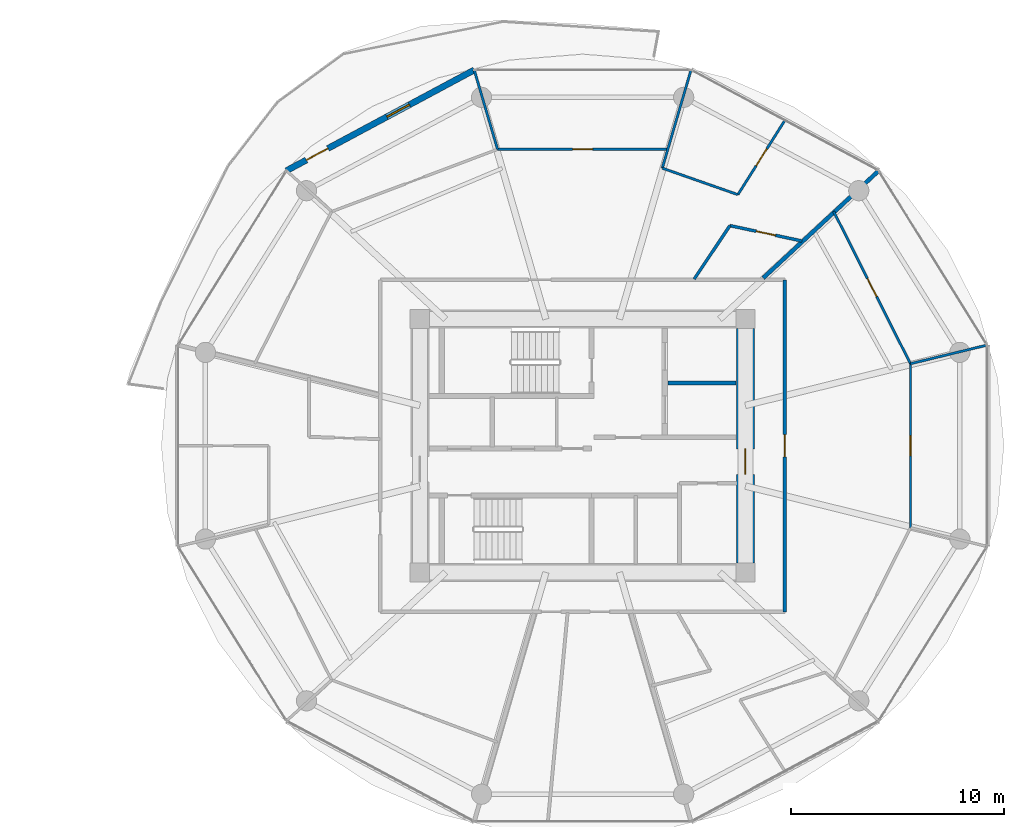
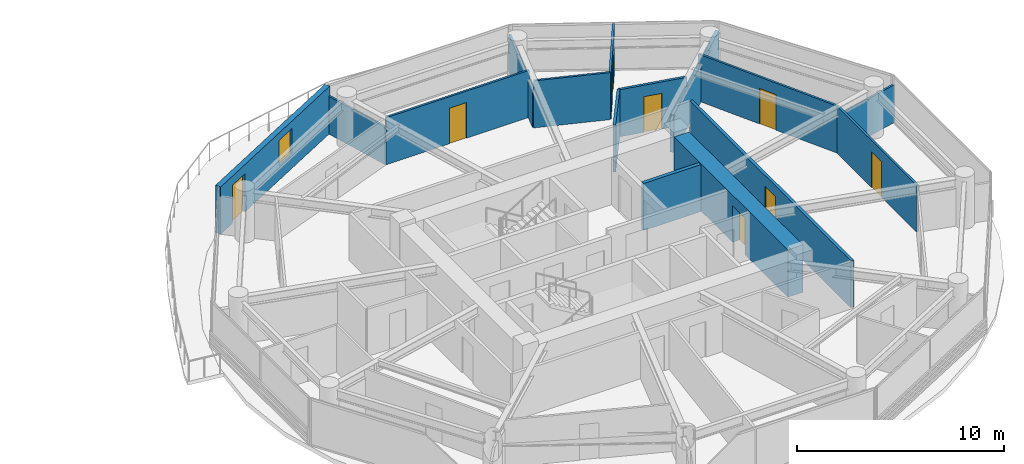
# One storey, part 20 of 26: 15 walls, 8 doors, 1 window, 9 openings.
"""IFC4 building model written with IfcOpenShell, lengths in metres."""

from ifc_helpers import new_model, si_unit, direction, frame, frame_2d, origin, place, context, subcontext, project, spatial, rectangle, extrude, source, transform, mapped, material, layer, layer_set, type_object, type_shapes, element, fill, save


model = new_model("IFC4")

# Units and contexts
model_context = context("Model", 3, precision=1e-05, world=origin(), true_north=direction((0.0, 1.0)))
body_context = subcontext(model_context, "Body", "Model", "MODEL_VIEW")
ifc_project = project(units=[si_unit("LENGTHUNIT", "METRE"), si_unit("AREAUNIT", "SQUARE_METRE"), si_unit("VOLUMEUNIT", "CUBIC_METRE"), si_unit("PLANEANGLEUNIT", "RADIAN"), si_unit("MASSUNIT", "GRAM", prefix="KILO")], contexts=[model_context])

# Site, building, storey
site_placement = place(None, origin())
site = spatial("IfcSite", under=ifc_project, at=site_placement, CompositionType="ELEMENT")
building_placement = place(site_placement, origin())
building = spatial("IfcBuilding", under=site, at=building_placement, Name="Norrkilde Senior Care Towers", CompositionType="ELEMENT")
storey_placement = place(building_placement, frame((0.0, 0.0, 64.300048828125)))
storey = spatial("IfcBuildingStorey", under=building, at=storey_placement, Name="L19", CompositionType="ELEMENT", Elevation=64.300048828125)

# Wall, opening, door
ifc_material_1 = material(Name="Concrete C60/75", Category="concrete")
ifc_layer_1 = layer(ifc_material_1, 0.85009765625)
ifc_layer_set_1 = layer_set([ifc_layer_1], Name="Concrete C60/75")
wall_type_1 = type_object("IfcWallType", Name="Core Shear Wall Z1 850", PredefinedType="SHEAR", material=ifc_layer_set_1)
shared_shape_1 = source(origin(), body_context, "Body", "SweptSolid", [
    extrude(rectangle(XDim=11.0, YDim=0.85009765625, at=frame_2d((5.5, 0.0))), origin(), (0.0, 0.0, 1.0), 2.7900390625),
])
type_shapes(wall_type_1, [shared_shape_1])
wall_1_placement = place(storey_placement, frame((35.64990234375, 5.5, 0.0), z_axis=(0.0, 0.0, 1.0), x_axis=(0.0, -1.0, 0.0)))
wall_1 = element("IfcWall", 1, at=wall_1_placement, inside=storey, type_object=wall_type_1, Name="L19 Core E East Shear Wall", PredefinedType="SHEAR", context=body_context, shape_type="MappedRepresentation", body=[
    mapped(shared_shape_1, transform((0.0, 0.0, 0.0), x_axis=(1.0, 0.0, 0.0), y_axis=(0.0, 1.0, 0.0), z_axis=(0.0, 0.0, 1.0), scale=1.0)),
])
opening_1_placement = place(wall_1_placement, frame((5.64990234375, 0.0, 0.0)))
opening_1 = element("IfcOpeningElement", 2, at=opening_1_placement, cuts=wall_1, Name="Opening D-04", PredefinedType="OPENING", context=body_context, shape_type="SweptSolid", body=[
    extrude(rectangle(XDim=1.199951171875, YDim=2.14990234375, at=frame_2d((0.60009765625, 1.074951171875))), frame((0.0, 0.43505859375, 0.0), z_axis=(0.0, -1.0, 0.0), x_axis=(1.0, 0.0, 0.0)), (0.0, 0.0, 1.0), 0.8701171875),
])
ifc_material_2 = material(Name="Galvanised Painted Steel", Category="steel")
door_type_1 = type_object("IfcDoorType", Name="Firefighting Lobby Fire Door 1200x2150", OperationType="NOTDEFINED", PredefinedType="DOOR", material=ifc_material_2)
shared_shape_2 = source(origin(), body_context, "Body", "SweptSolid", [
    extrude(rectangle(XDim=1.199951171875, YDim=2.14990234375, at=frame_2d((0.60009765625, 1.074951171875))), frame((0.0, 0.02490234375, 0.0), z_axis=(0.0, -1.0, 0.0), x_axis=(1.0, 0.0, 0.0)), (0.0, 0.0, 1.0), 0.050048828125),
])
type_shapes(door_type_1, [shared_shape_2])
door_1_placement = place(opening_1_placement, frame((1.199951171875, 0.0, 0.0), z_axis=(0.0, 0.0, 1.0), x_axis=(-1.0, 0.0, 0.0)))
door_1 = element("IfcDoor", 3, at=door_1_placement, inside=storey, type_object=door_type_1, Name="L19 Core E East Portal Door", OperationType="SINGLE_SWING_RIGHT", OverallHeight=2.14990234375, OverallWidth=1.199951171875, PredefinedType="DOOR", context=body_context, shape_type="MappedRepresentation", body=[
    mapped(shared_shape_2, transform((0.0, 0.0, 0.0), x_axis=(1.0, 0.0, 0.0), y_axis=(0.0, 1.0, 0.0), z_axis=(0.0, 0.0, 1.0), scale=1.0)),
])
fill(opening_1, door_1)

# Wall, openings, door, window
ifc_material_3 = material(Name="Precast concrete C45/55", Category="concrete")
ifc_layer_2 = layer(ifc_material_3, 0.2900390625)
ifc_layer_set_2 = layer_set([ifc_layer_2], Name="Precast concrete C45/55")
wall_type_2 = type_object("IfcWallType", Name="Winter Garden Facade Wall 290", PredefinedType="SOLIDWALL", material=ifc_layer_set_2)
shared_shape_3 = source(origin(), body_context, "Body", "SweptSolid", [
    extrude(rectangle(XDim=10.0107421875, YDim=0.2900390625, at=frame_2d((5.00537109375, 0.0))), origin(), (0.0, 0.0, 1.0), 2.7900390625),
])
type_shapes(wall_type_2, [shared_shape_3])
wall_2_placement = place(storey_placement, frame((14.084228515625, 12.926025390625, 0.0), z_axis=(0.0, 0.0, 1.0), x_axis=(0.881272505317, 0.472608475773, 0.0)))
wall_2 = element("IfcWall", 4, at=wall_2_placement, inside=storey, type_object=wall_type_2, Name="L19 Drum E Balcony Access Wall 03", PredefinedType="SOLIDWALL", context=body_context, shape_type="MappedRepresentation", body=[
    mapped(shared_shape_3, transform((0.0, 0.0, 0.0), x_axis=(1.0, 0.0, 0.0), y_axis=(0.0, 1.0, 0.0), z_axis=(0.0, 0.0, 1.0), scale=1.0)),
])
opening_2_placement = place(wall_2_placement, frame((1.06005859375, 0.0, 0.0)))
opening_2 = element("IfcOpeningElement", 5, at=opening_2_placement, cuts=wall_2, Name="Opening D-09", PredefinedType="OPENING", context=body_context, shape_type="SweptSolid", body=[
    extrude(rectangle(XDim=1.14990234375, YDim=2.25, at=frame_2d((0.574951171875, 1.125))), frame((0.0, 0.155029296875, 0.0), z_axis=(0.0, -1.0, 0.0), x_axis=(1.0, 0.0, 0.0)), (0.0, 0.0, 1.0), 0.31005859375),
])
opening_3_placement = place(wall_2_placement, frame((5.35546875, 0.0, 0.85009765625)))
opening_3 = element("IfcOpeningElement", 6, at=opening_3_placement, cuts=wall_2, Name="Opening WN-07", PredefinedType="OPENING", context=body_context, shape_type="SweptSolid", body=[
    extrude(rectangle(XDim=1.199951171875, YDim=1.5, at=frame_2d((0.60009765625, 0.75))), frame((0.0, 0.155029296875, 0.0), z_axis=(0.0, -1.0, 0.0), x_axis=(1.0, 0.0, 0.0)), (0.0, 0.0, 1.0), 0.31005859375),
])
ifc_material_4 = material(Name="Anodised Aluminium", Category="aluminium")
door_type_2 = type_object("IfcDoorType", Name="Terrace and Balcony Glazed Door 1150x2250", OperationType="NOTDEFINED", PredefinedType="DOOR", material=ifc_material_4)
shared_shape_4 = source(origin(), body_context, "Body", "SweptSolid", [
    extrude(rectangle(XDim=1.14990234375, YDim=2.25, at=frame_2d((0.574951171875, 1.125))), frame((0.0, 0.02490234375, 0.0), z_axis=(0.0, -1.0, 0.0), x_axis=(1.0, 0.0, 0.0)), (0.0, 0.0, 1.0), 0.050048828125),
])
type_shapes(door_type_2, [shared_shape_4])
door_2_placement = place(opening_2_placement, origin())
door_2 = element("IfcDoor", 7, at=door_2_placement, inside=storey, type_object=door_type_2, Name="L19 Drum E Outdoor Terrace Door 03", OperationType="SINGLE_SWING_RIGHT", OverallHeight=2.25, OverallWidth=1.14990234375, PredefinedType="DOOR", context=body_context, shape_type="MappedRepresentation", body=[
    mapped(shared_shape_4, transform((0.0, 0.0, 0.0), x_axis=(1.0, 0.0, 0.0), y_axis=(0.0, 1.0, 0.0), z_axis=(0.0, 0.0, 1.0), scale=1.0)),
])
fill(opening_2, door_2)
ifc_material_5 = material(Name="Triple Low-E Insulated Glazing", Category="glass")
window_type = type_object("IfcWindowType", Name="Stairwell Smoke Vent Window 1200x1500", PartitioningType="SINGLE_PANEL", PredefinedType="WINDOW", material=ifc_material_5)
shared_shape_5 = source(origin(), body_context, "Body", "SweptSolid", [
    extrude(rectangle(XDim=1.199951171875, YDim=1.5, at=frame_2d((0.60009765625, 0.75))), frame((0.0, 0.030029296875, 0.0), z_axis=(0.0, -1.0, 0.0), x_axis=(1.0, 0.0, 0.0)), (0.0, 0.0, 1.0), 0.06005859375),
])
type_shapes(window_type, [shared_shape_5])
window_placement = place(opening_3_placement, origin())
window = element("IfcWindow", 8, at=window_placement, inside=storey, type_object=window_type, Name="L19 Drum E Winter Garden Window 03", OverallHeight=1.5, OverallWidth=1.199951171875, PartitioningType="SINGLE_PANEL", PredefinedType="WINDOW", context=body_context, shape_type="MappedRepresentation", body=[
    mapped(shared_shape_5, transform((0.0, 0.0, 0.0), x_axis=(1.0, 0.0, 0.0), y_axis=(0.0, 1.0, 0.0), z_axis=(0.0, 0.0, 1.0), scale=1.0)),
])
fill(opening_3, window)

# Wall
ifc_material_6 = material(Name="Concrete C45/55", Category="concrete")
ifc_layer_3 = layer(ifc_material_6, 0.199951171875)
ifc_layer_set_3 = layer_set([ifc_layer_3], Name="Concrete C45/55")
wall_type_3 = type_object("IfcWallType", Name="Shaft Division and Plant Partition 200", PredefinedType="PARTITIONING", material=ifc_layer_set_3)
shared_shape_6 = source(origin(), body_context, "Body", "SweptSolid", [
    extrude(rectangle(XDim=3.199951171875, YDim=0.199951171875, at=frame_2d((1.60009765625, 0.0))), origin(), (0.0, 0.0, 1.0), 2.77490234375),
])
type_shapes(wall_type_3, [shared_shape_6])
wall_3_placement = place(storey_placement, frame((32.0, 2.949951171875, 0.0), z_axis=(0.0, 0.0, 1.0), x_axis=(1.0, 0.0, 0.0)))
element("IfcWall", 9, at=wall_3_placement, inside=storey, type_object=wall_type_3, Name="WL-INT-L19-E-FFLDIV", PredefinedType="PARTITIONING", context=body_context, shape_type="MappedRepresentation", body=[
    mapped(shared_shape_6, transform((0.0, 0.0, 0.0), x_axis=(1.0, 0.0, 0.0), y_axis=(0.0, 1.0, 0.0), z_axis=(0.0, 0.0, 1.0), scale=1.0)),
])

# Wall, opening, door
ifc_material_7 = material(Name="Gypsum Acoustic Board")
ifc_layer_4 = layer(ifc_material_7, 0.1650390625)
ifc_layer_set_4 = layer_set([ifc_layer_4], Name="Gypsum Acoustic Board")
wall_type_4 = type_object("IfcWallType", Name="Corridor Rated Partition 165", PredefinedType="PARTITIONING", material=ifc_layer_set_4)
shared_shape_7 = source(origin(), body_context, "Body", "SweptSolid", [
    extrude(rectangle(XDim=15.60009765625, YDim=0.1650390625, at=frame_2d((7.800048828125, 0.0))), origin(), (0.0, 0.0, 1.0), 2.77490234375),
])
type_shapes(wall_type_4, [shared_shape_7])
wall_4_placement = place(storey_placement, frame((37.5, 7.800048828125, 0.0), z_axis=(0.0, 0.0, 1.0), x_axis=(0.0, -1.0, 0.0)))
wall_4 = element("IfcWall", 10, at=wall_4_placement, inside=storey, type_object=wall_type_4, Name="WL-INT-L19-E-CRW-E-0", PredefinedType="PARTITIONING", context=body_context, shape_type="MappedRepresentation", body=[
    mapped(shared_shape_7, transform((0.0, 0.0, 0.0), x_axis=(1.0, 0.0, 0.0), y_axis=(0.0, 1.0, 0.0), z_axis=(0.0, 0.0, 1.0), scale=1.0)),
])
opening_4_placement = place(wall_4_placement, frame((7.27490234375, 0.0, 0.0)))
opening_4 = element("IfcOpeningElement", 11, at=opening_4_placement, cuts=wall_4, Name="Opening D-06", PredefinedType="OPENING", context=body_context, shape_type="SweptSolid", body=[
    extrude(rectangle(XDim=1.050048828125, YDim=2.14990234375, at=frame_2d((0.52490234375, 1.074951171875))), frame((0.0, 0.092529296875, 0.0), z_axis=(0.0, -1.0, 0.0), x_axis=(1.0, 0.0, 0.0)), (0.0, 0.0, 1.0), 0.18505859375),
])
ifc_material_8 = material(Name="Nordic Ash Timber", Category="wood")
door_type_3 = type_object("IfcDoorType", Name="Apartment Entrance Fire Door 1050x2150", OperationType="NOTDEFINED", PredefinedType="DOOR", material=ifc_material_8)
shared_shape_8 = source(origin(), body_context, "Body", "SweptSolid", [
    extrude(rectangle(XDim=1.050048828125, YDim=2.14990234375, at=frame_2d((0.52490234375, 1.074951171875))), frame((0.0, 0.02490234375, 0.0), z_axis=(0.0, -1.0, 0.0), x_axis=(1.0, 0.0, 0.0)), (0.0, 0.0, 1.0), 0.050048828125),
])
type_shapes(door_type_3, [shared_shape_8])
door_3_placement = place(opening_4_placement, frame((1.050048828125, 0.0, 0.0), z_axis=(0.0, 0.0, 1.0), x_axis=(-1.0, 0.0, 0.0)))
door_3 = element("IfcDoor", 12, at=door_3_placement, inside=storey, type_object=door_type_3, Name="Apartment 19C Entrance Door", OperationType="SINGLE_SWING_RIGHT", OverallHeight=2.14990234375, OverallWidth=1.050048828125, PredefinedType="DOOR", context=body_context, shape_type="MappedRepresentation", body=[
    mapped(shared_shape_8, transform((0.0, 0.0, 0.0), x_axis=(1.0, 0.0, 0.0), y_axis=(0.0, 1.0, 0.0), z_axis=(0.0, 0.0, 1.0), scale=1.0)),
])
fill(opening_4, door_3)

# Wall
ifc_layer_5 = layer(ifc_material_7, 0.18994140625)
ifc_layer_set_5 = layer_set([ifc_layer_5], Name="Gypsum Acoustic Board")
wall_type_5 = type_object("IfcWallType", Name="Unit Demising Acoustic Wall 190", PredefinedType="PARTITIONING", material=ifc_layer_set_5)
shared_shape_9 = source(origin(), body_context, "Body", "SweptSolid", [
    extrude(rectangle(XDim=7.4345703125, YDim=0.18994140625, at=frame_2d((3.71728515625, 0.0))), origin(), (0.0, 0.0, 1.0), 2.224853515625),
])
type_shapes(wall_type_5, [shared_shape_9])
wall_5_placement = place(storey_placement, frame((36.48291015625, 7.8798828125, 0.0), z_axis=(0.0, 0.0, 1.0), x_axis=(0.732651956848, 0.680603489652, 0.0)))
element("IfcWall", 13, at=wall_5_placement, inside=storey, type_object=wall_type_5, Name="WL-INT-L19-E-DEM-01-0", PredefinedType="PARTITIONING", context=body_context, shape_type="MappedRepresentation", body=[
    mapped(shared_shape_9, transform((0.0, 0.0, 0.0), x_axis=(1.0, 0.0, 0.0), y_axis=(0.0, 1.0, 0.0), z_axis=(0.0, 0.0, 1.0), scale=1.0)),
])

# Wall, opening, door
ifc_layer_6 = layer(ifc_material_7, 0.114990234375)
ifc_layer_set_6 = layer_set([ifc_layer_6], Name="Gypsum Acoustic Board")
wall_type_6 = type_object("IfcWallType", Name="Internal Room Partition 115", PredefinedType="PARTITIONING", material=ifc_layer_set_6)
shared_shape_10 = source(origin(), body_context, "Body", "SweptSolid", [
    extrude(rectangle(XDim=7.99267578125, YDim=0.114990234375, at=frame_2d((3.996337890625, 0.0))), origin(), (0.0, 0.0, 1.0), 2.77490234375),
])
wall_6_placement = place(storey_placement, frame((31.996337890625, 13.927001953125, 0.0), z_axis=(0.0, 0.0, 1.0), x_axis=(-1.0, 0.0, 0.0)))
wall_6 = element("IfcWall", 14, at=wall_6_placement, inside=storey, type_object=wall_type_6, Name="WL-INT-L19-E-UBC-01-1", PredefinedType="PARTITIONING", context=body_context, shape_type="MappedRepresentation", body=[
    mapped(shared_shape_10, transform((0.0, 0.0, 0.0), x_axis=(1.0, 0.0, 0.0), y_axis=(0.0, 1.0, 0.0), z_axis=(0.0, 0.0, 1.0), scale=1.0)),
])
opening_5_placement = place(wall_6_placement, frame((3.521484375, 0.0, 0.0)))
opening_5 = element("IfcOpeningElement", 15, at=opening_5_placement, cuts=wall_6, Name="Opening D-07", PredefinedType="OPENING", context=body_context, shape_type="SweptSolid", body=[
    extrude(rectangle(XDim=0.949951171875, YDim=2.10009765625, at=frame_2d((0.47509765625, 1.050048828125))), frame((0.0, 0.0673828125, 0.0), z_axis=(0.0, -1.0, 0.0), x_axis=(1.0, 0.0, 0.0)), (0.0, 0.0, 1.0), 0.135009765625),
])
door_type_4 = type_object("IfcDoorType", Name="Internal Suite Bedroom Door 950x2100", OperationType="NOTDEFINED", PredefinedType="DOOR", material=ifc_material_8)
shared_shape_11 = source(origin(), body_context, "Body", "SweptSolid", [
    extrude(rectangle(XDim=0.949951171875, YDim=2.10009765625, at=frame_2d((0.47509765625, 1.050048828125))), frame((0.0, 0.02490234375, 0.0), z_axis=(0.0, -1.0, 0.0), x_axis=(1.0, 0.0, 0.0)), (0.0, 0.0, 1.0), 0.050048828125),
])
type_shapes(door_type_4, [shared_shape_11])
door_4_placement = place(opening_5_placement, origin())
door_4 = element("IfcDoor", 16, at=door_4_placement, inside=storey, type_object=door_type_4, Name="Apartment 19D Bedroom 1 Door", OperationType="SINGLE_SWING_LEFT", OverallHeight=2.10009765625, OverallWidth=0.949951171875, PredefinedType="DOOR", context=body_context, shape_type="MappedRepresentation", body=[
    mapped(shared_shape_11, transform((0.0, 0.0, 0.0), x_axis=(1.0, 0.0, 0.0), y_axis=(0.0, 1.0, 0.0), z_axis=(0.0, 0.0, 1.0), scale=1.0)),
])
fill(opening_5, door_4)

# Walls
shared_shape_12 = source(origin(), body_context, "Body", "SweptSolid", [
    extrude(rectangle(XDim=4.8291015625, YDim=0.114990234375, at=frame_2d((2.41455078125, 0.0))), origin(), (0.0, 0.0, 1.0), 2.224853515625),
])
wall_7_placement = place(storey_placement, frame((31.742431640625, 13.041748046875, 0.0), z_axis=(0.0, 0.0, 1.0), x_axis=(0.280838556456, 0.959755023539, 0.0)))
element("IfcWall", 17, at=wall_7_placement, inside=storey, type_object=wall_type_6, Name="WL-INT-L19-E-UBR-01-1", PredefinedType="PARTITIONING", context=body_context, shape_type="MappedRepresentation", body=[
    mapped(shared_shape_12, transform((0.0, 0.0, 0.0), x_axis=(1.0, 0.0, 0.0), y_axis=(0.0, 1.0, 0.0), z_axis=(0.0, 0.0, 1.0), scale=1.0)),
])
ifc_layer_7 = layer(ifc_material_7, 0.139892578125)
ifc_layer_set_7 = layer_set([ifc_layer_7], Name="Gypsum Acoustic Board")
wall_type_7 = type_object("IfcWallType", Name="En-suite Wet Room Wall 140", PredefinedType="PARTITIONING", material=ifc_layer_set_7)
shared_shape_13 = source(origin(), body_context, "Body", "SweptSolid", [
    extrude(rectangle(XDim=3.025146484375, YDim=0.139892578125, at=frame_2d((1.5126953125, 0.0))), origin(), (0.0, 0.0, 1.0), 2.77490234375),
])
wall_8_placement = place(storey_placement, frame((33.23974609375, 7.830078125, 0.0), z_axis=(0.0, 0.0, 1.0), x_axis=(0.556189165904, 0.831055721195, 0.0)))
element("IfcWall", 18, at=wall_8_placement, inside=storey, type_object=wall_type_7, Name="WL-INT-L19-E-UBTS-01", PredefinedType="PARTITIONING", context=body_context, shape_type="MappedRepresentation", body=[
    mapped(shared_shape_13, transform((0.0, 0.0, 0.0), x_axis=(1.0, 0.0, 0.0), y_axis=(0.0, 1.0, 0.0), z_axis=(0.0, 0.0, 1.0), scale=1.0)),
])

# Wall, opening, door
shared_shape_14 = source(origin(), body_context, "Body", "SweptSolid", [
    extrude(rectangle(XDim=3.458984375, YDim=0.139892578125, at=frame_2d((1.7294921875, 0.0))), origin(), (0.0, 0.0, 1.0), 2.77490234375),
])
type_shapes(wall_type_7, [shared_shape_13, shared_shape_14])
wall_9_placement = place(storey_placement, frame((34.92236328125, 10.34423828125, 0.0), z_axis=(0.0, 0.0, 1.0), x_axis=(0.978006468578, -0.208574560815, 0.0)))
wall_9 = element("IfcWall", 19, at=wall_9_placement, inside=storey, type_object=wall_type_7, Name="WL-INT-L19-E-UBTF-01", PredefinedType="PARTITIONING", context=body_context, shape_type="MappedRepresentation", body=[
    mapped(shared_shape_14, transform((0.0, 0.0, 0.0), x_axis=(1.0, 0.0, 0.0), y_axis=(0.0, 1.0, 0.0), z_axis=(0.0, 0.0, 1.0), scale=1.0)),
])
opening_6_placement = place(wall_9_placement, frame((1.26953125, 0.0, 0.0)))
opening_6 = element("IfcOpeningElement", 20, at=opening_6_placement, cuts=wall_9, Name="Opening D-08", PredefinedType="OPENING", context=body_context, shape_type="SweptSolid", body=[
    extrude(rectangle(XDim=0.919921875, YDim=2.10009765625, at=frame_2d((0.4599609375, 1.050048828125))), frame((0.0, 0.079833984375, 0.0), z_axis=(0.0, -1.0, 0.0), x_axis=(1.0, 0.0, 0.0)), (0.0, 0.0, 1.0), 0.159912109375),
])
door_type_5 = type_object("IfcDoorType", Name="Accessible Wet Room Door 920x2100", OperationType="NOTDEFINED", PredefinedType="DOOR", material=ifc_material_8)
shared_shape_15 = source(origin(), body_context, "Body", "SweptSolid", [
    extrude(rectangle(XDim=0.919921875, YDim=2.10009765625, at=frame_2d((0.4599609375, 1.050048828125))), frame((0.0, 0.02490234375, 0.0), z_axis=(0.0, -1.0, 0.0), x_axis=(1.0, 0.0, 0.0)), (0.0, 0.0, 1.0), 0.050048828125),
])
type_shapes(door_type_5, [shared_shape_15])
door_5_placement = place(opening_6_placement, origin())
door_5 = element("IfcDoor", 21, at=door_5_placement, inside=storey, type_object=door_type_5, Name="Apartment 19D Bathroom Door", OperationType="SINGLE_SWING_LEFT", OverallHeight=2.10009765625, OverallWidth=0.919921875, PredefinedType="DOOR", context=body_context, shape_type="MappedRepresentation", body=[
    mapped(shared_shape_15, transform((0.0, 0.0, 0.0), x_axis=(1.0, 0.0, 0.0), y_axis=(0.0, 1.0, 0.0), z_axis=(0.0, 0.0, 1.0), scale=1.0)),
])
fill(opening_6, door_5)

shared_shape_16 = source(origin(), body_context, "Body", "SweptSolid", [
    extrude(rectangle(XDim=4.150390625, YDim=0.114990234375, at=frame_2d((2.0751953125, 0.0))), origin(), (0.0, 0.0, 1.0), 2.77490234375),
])
wall_10_placement = place(storey_placement, frame((35.296142578125, 11.800537109375, 0.0), z_axis=(0.0, 0.0, 1.0), x_axis=(0.534475378192, 0.845184045109, 0.0)))
wall_10 = element("IfcWall", 22, at=wall_10_placement, inside=storey, type_object=wall_type_6, Name="WL-INT-L19-E-UKTS-01", PredefinedType="PARTITIONING", context=body_context, shape_type="MappedRepresentation", body=[
    mapped(shared_shape_16, transform((0.0, 0.0, 0.0), x_axis=(1.0, 0.0, 0.0), y_axis=(0.0, 1.0, 0.0), z_axis=(0.0, 0.0, 1.0), scale=1.0)),
])
opening_7_placement = place(wall_10_placement, frame((1.60009765625, 0.0, 0.0)))
opening_7 = element("IfcOpeningElement", 23, at=opening_7_placement, cuts=wall_10, Name="Opening D-07", PredefinedType="OPENING", context=body_context, shape_type="SweptSolid", body=[
    extrude(rectangle(XDim=0.949951171875, YDim=2.10009765625, at=frame_2d((0.47509765625, 1.050048828125))), frame((0.0, 0.0673828125, 0.0), z_axis=(0.0, -1.0, 0.0), x_axis=(1.0, 0.0, 0.0)), (0.0, 0.0, 1.0), 0.135009765625),
])
door_6_placement = place(opening_7_placement, frame((0.949951171875, 0.0, 0.0), z_axis=(0.0, 0.0, 1.0), x_axis=(-1.0, 0.0, 0.0)))
door_6 = element("IfcDoor", 24, at=door_6_placement, inside=storey, type_object=door_type_4, Name="Apartment 19D Kitchen Door", OperationType="SINGLE_SWING_RIGHT", OverallHeight=2.10009765625, OverallWidth=0.949951171875, PredefinedType="DOOR", context=body_context, shape_type="MappedRepresentation", body=[
    mapped(shared_shape_11, transform((0.0, 0.0, 0.0), x_axis=(1.0, 0.0, 0.0), y_axis=(0.0, 1.0, 0.0), z_axis=(0.0, 0.0, 1.0), scale=1.0)),
])
fill(opening_7, door_6)

# Wall
shared_shape_17 = source(origin(), body_context, "Body", "SweptSolid", [
    extrude(rectangle(XDim=3.7646484375, YDim=0.114990234375, at=frame_2d((1.88232421875, 0.0))), origin(), (0.0, 0.0, 1.0), 2.77490234375),
])
wall_11_placement = place(storey_placement, frame((35.296142578125, 11.800537109375, 0.0), z_axis=(0.0, 0.0, 1.0), x_axis=(-0.943788572669, 0.330549739222, 0.0)))
element("IfcWall", 25, at=wall_11_placement, inside=storey, type_object=wall_type_6, Name="WL-INT-L19-E-UKTF-01", PredefinedType="PARTITIONING", context=body_context, shape_type="MappedRepresentation", body=[
    mapped(shared_shape_17, transform((0.0, 0.0, 0.0), x_axis=(1.0, 0.0, 0.0), y_axis=(0.0, 1.0, 0.0), z_axis=(0.0, 0.0, 1.0), scale=1.0)),
])

# Wall, opening, door
shared_shape_18 = source(origin(), body_context, "Body", "SweptSolid", [
    extrude(rectangle(XDim=8.017822265625, YDim=0.114990234375, at=frame_2d((4.0087890625, 0.0))), origin(), (0.0, 0.0, 1.0), 2.77490234375),
])
wall_12_placement = place(storey_placement, frame((43.404052734375, 3.854248046875, 0.0), z_axis=(0.0, 0.0, 1.0), x_axis=(-0.450134355233, 0.89296084026, 0.0)))
wall_12 = element("IfcWall", 26, at=wall_12_placement, inside=storey, type_object=wall_type_6, Name="WL-INT-L19-E-UBC-09-3", PredefinedType="PARTITIONING", context=body_context, shape_type="MappedRepresentation", body=[
    mapped(shared_shape_18, transform((0.0, 0.0, 0.0), x_axis=(1.0, 0.0, 0.0), y_axis=(0.0, 1.0, 0.0), z_axis=(0.0, 0.0, 1.0), scale=1.0)),
])
opening_8_placement = place(wall_12_placement, frame((3.533935546875, 0.0, 0.0)))
opening_8 = element("IfcOpeningElement", 27, at=opening_8_placement, cuts=wall_12, Name="Opening D-07", PredefinedType="OPENING", context=body_context, shape_type="SweptSolid", body=[
    extrude(rectangle(XDim=0.949951171875, YDim=2.10009765625, at=frame_2d((0.47509765625, 1.050048828125))), frame((0.0, 0.0673828125, 0.0), z_axis=(0.0, -1.0, 0.0), x_axis=(1.0, 0.0, 0.0)), (0.0, 0.0, 1.0), 0.135009765625),
])
door_7_placement = place(opening_8_placement, origin())
door_7 = element("IfcDoor", 28, at=door_7_placement, inside=storey, type_object=door_type_4, Name="Apartment 19C Bedroom 3 Door", OperationType="SINGLE_SWING_LEFT", OverallHeight=2.10009765625, OverallWidth=0.949951171875, PredefinedType="DOOR", context=body_context, shape_type="MappedRepresentation", body=[
    mapped(shared_shape_11, transform((0.0, 0.0, 0.0), x_axis=(1.0, 0.0, 0.0), y_axis=(0.0, 1.0, 0.0), z_axis=(0.0, 0.0, 1.0), scale=1.0)),
])
fill(opening_8, door_7)

shared_shape_19 = source(origin(), body_context, "Body", "SweptSolid", [
    extrude(rectangle(XDim=7.70947265625, YDim=0.114990234375, at=frame_2d((3.854736328125, 0.0))), origin(), (0.0, 0.0, 1.0), 2.77490234375),
])
wall_13_placement = place(storey_placement, frame((43.40625, -3.854736328125, 0.0), z_axis=(0.0, 0.0, 1.0), x_axis=(0.0, 1.0, 0.0)))
wall_13 = element("IfcWall", 29, at=wall_13_placement, inside=storey, type_object=wall_type_6, Name="WL-INT-L19-E-UBC-09-2", PredefinedType="PARTITIONING", context=body_context, shape_type="MappedRepresentation", body=[
    mapped(shared_shape_19, transform((0.0, 0.0, 0.0), x_axis=(1.0, 0.0, 0.0), y_axis=(0.0, 1.0, 0.0), z_axis=(0.0, 0.0, 1.0), scale=1.0)),
])
opening_9_placement = place(wall_13_placement, frame((3.379638671875, 0.0, 0.0)))
opening_9 = element("IfcOpeningElement", 30, at=opening_9_placement, cuts=wall_13, Name="Opening D-07", PredefinedType="OPENING", context=body_context, shape_type="SweptSolid", body=[
    extrude(rectangle(XDim=0.949951171875, YDim=2.10009765625, at=frame_2d((0.47509765625, 1.050048828125))), frame((0.0, 0.0673828125, 0.0), z_axis=(0.0, -1.0, 0.0), x_axis=(1.0, 0.0, 0.0)), (0.0, 0.0, 1.0), 0.135009765625),
])
door_8_placement = place(opening_9_placement, frame((0.949951171875, 0.0, 0.0), z_axis=(0.0, 0.0, 1.0), x_axis=(-1.0, 0.0, 0.0)))
door_8 = element("IfcDoor", 31, at=door_8_placement, inside=storey, type_object=door_type_4, Name="Apartment 19C Bedroom 2 Door", OperationType="SINGLE_SWING_RIGHT", OverallHeight=2.10009765625, OverallWidth=0.949951171875, PredefinedType="DOOR", context=body_context, shape_type="MappedRepresentation", body=[
    mapped(shared_shape_11, transform((0.0, 0.0, 0.0), x_axis=(1.0, 0.0, 0.0), y_axis=(0.0, 1.0, 0.0), z_axis=(0.0, 0.0, 1.0), scale=1.0)),
])
fill(opening_9, door_8)

# Walls
shared_shape_20 = source(origin(), body_context, "Body", "SweptSolid", [
    extrude(rectangle(XDim=3.90478515625, YDim=0.114990234375, at=frame_2d((1.952392578125, 0.0))), origin(), (0.0, 0.0, 1.0), 2.224853515625),
])
wall_14_placement = place(storey_placement, frame((24.002685546875, 13.93017578125, 0.0), z_axis=(0.0, 0.0, 1.0), x_axis=(-0.282037692958, 0.959403324859, 0.0)))
element("IfcWall", 32, at=wall_14_placement, inside=storey, type_object=wall_type_6, Name="WL-INT-L19-E-UBR-01-2", PredefinedType="PARTITIONING", context=body_context, shape_type="MappedRepresentation", body=[
    mapped(shared_shape_20, transform((0.0, 0.0, 0.0), x_axis=(1.0, 0.0, 0.0), y_axis=(0.0, 1.0, 0.0), z_axis=(0.0, 0.0, 1.0), scale=1.0)),
])
shared_shape_21 = source(origin(), body_context, "Body", "SweptSolid", [
    extrude(rectangle(XDim=3.73046875, YDim=0.114990234375, at=frame_2d((1.865234375, 0.0))), origin(), (0.0, 0.0, 1.0), 2.224853515625),
])
type_shapes(wall_type_6, [shared_shape_10, shared_shape_12, shared_shape_16, shared_shape_17, shared_shape_18, shared_shape_19, shared_shape_20, shared_shape_21])
wall_15_placement = place(storey_placement, frame((43.404052734375, 3.854248046875, 0.0), z_axis=(0.0, 0.0, 1.0), x_axis=(0.971644038568, 0.236448434791, 0.0)))
element("IfcWall", 33, at=wall_15_placement, inside=storey, type_object=wall_type_6, Name="WL-INT-L19-E-UBR-09-3", PredefinedType="PARTITIONING", context=body_context, shape_type="MappedRepresentation", body=[
    mapped(shared_shape_21, transform((0.0, 0.0, 0.0), x_axis=(1.0, 0.0, 0.0), y_axis=(0.0, 1.0, 0.0), z_axis=(0.0, 0.0, 1.0), scale=1.0)),
])

save(model, "model.ifc")
